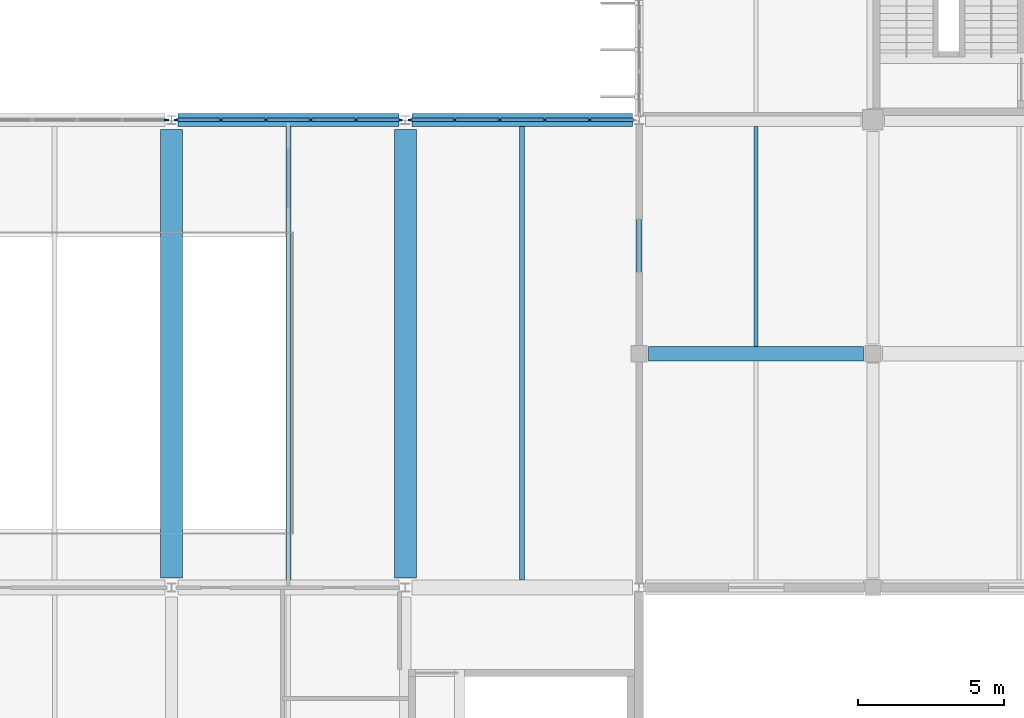
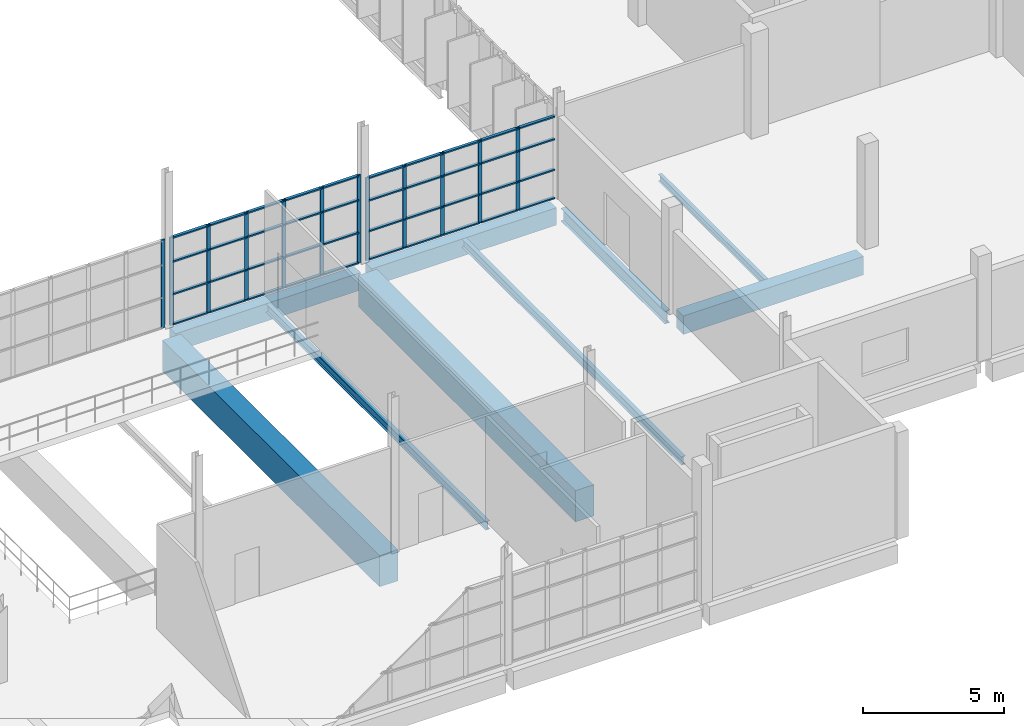
# One storey, part 40 of 93: 52 members, 9 beams, 3 elements without a shape of their own.
"""IFC4 building model written with IfcOpenShell, lengths in metres."""

from ifc_helpers import new_model, si_unit, direction, frame, origin, origin_2d, place, context, subcontext, project, spatial, rectangle, i_section, extrude, material, layer, layer_set, material_profile, profile_set, type_object, element, aggregate, save


model = new_model("IFC4")

# Units and contexts
model_context = context("Model", 3, precision=1e-05, world=origin(), true_north=direction((0.0, 1.0)))
body_context = subcontext(model_context, "Body", "Model", "MODEL_VIEW")
ifc_project = project(units=[si_unit("LENGTHUNIT", "METRE"), si_unit("AREAUNIT", "SQUARE_METRE"), si_unit("VOLUMEUNIT", "CUBIC_METRE"), si_unit("PLANEANGLEUNIT", "RADIAN"), si_unit("MASSUNIT", "GRAM", prefix="KILO")], contexts=[model_context])

# Site, building, storey
site_placement = place(None, origin())
site = spatial("IfcSite", under=ifc_project, at=site_placement, CompositionType="ELEMENT")
building_placement = place(site_placement, origin())
building = spatial("IfcBuilding", under=site, at=building_placement, Name="Drelvana Railside Aquatics Centre", CompositionType="ELEMENT")
storey_placement = place(building_placement, frame((0.0, 0.0, 5.39990234375)))
storey = spatial("IfcBuildingStorey", under=building, at=storey_placement, Name="L01", CompositionType="ELEMENT", Elevation=5.39990234375)

# Curtain wall, member
ifc_material_1 = material(Name="Bronze-anodised aluminium curtain wall", Category="aluminium")
ifc_layer = layer(ifc_material_1, 0.1650390625, Name="Bronze-anodised aluminium curtain wall")
ifc_layer_set = layer_set([ifc_layer], Name="Bronze-anodised aluminium curtain wall")
curtain_wall_type = type_object("IfcCurtainWallType", Name="CW-Z5-COURT", PredefinedType="NOTDEFINED", material=ifc_layer_set)
curtain_wall_1_placement = place(storey_placement, origin())
curtain_wall_1 = element("IfcCurtainWall", 1, at=curtain_wall_1_placement, inside=storey, type_object=curtain_wall_type, Name="Curtain wall CW-05-109", PredefinedType="NOTDEFINED")
ifc_material_2 = material(Name="Bronze-anodised aluminium 6063-T6", Category="aluminium")
ifc_material_profile_1 = material_profile(ifc_material_2, rectangle(XDim=0.06005859375, YDim=0.14990234375, at=origin_2d()), Name="ALU-M 60x150")
ifc_profile_set_1 = profile_set([ifc_material_profile_1], Name="Bronze-anodised aluminium 6063-T6")
member_type_1 = type_object("IfcMemberType", Name="CW-Z5-COURT-MUL", PredefinedType="MULLION", material=ifc_profile_set_1)
member_1_placement = place(storey_placement, frame((127.825927734375, 24.0, -0.005859375), z_axis=(0.0, 0.0, 1.0), x_axis=(0.0, 1.0, 0.0)))
member_1 = element("IfcMember", 2, at=member_1_placement, type_object=member_type_1, Name="CW-05 mullion 6", PredefinedType="MULLION", context=body_context, shape_type="SweptSolid", body=[
    extrude(rectangle(XDim=0.06005859375, YDim=0.14990234375, at=origin_2d()), origin(), (0.0, 0.0, 1.0), 3.805908203125),
])
aggregate(curtain_wall_1, [member_1])

# Curtain wall, members
curtain_wall_2_placement = place(storey_placement, origin())
curtain_wall_2 = element("IfcCurtainWall", 3, at=curtain_wall_2_placement, inside=storey, type_object=curtain_wall_type, Name="Curtain wall CW-05-112", PredefinedType="NOTDEFINED")
member_2_placement = place(storey_placement, frame((128.174072265625, 24.0, -0.005859375), z_axis=(0.0, 0.0, 1.0), x_axis=(0.0, 1.0, 0.0)))
member_2 = element("IfcMember", 4, at=member_2_placement, type_object=member_type_1, Name="CW-05 mullion 1", PredefinedType="MULLION", context=body_context, shape_type="SweptSolid", body=[
    extrude(rectangle(XDim=0.06005859375, YDim=0.14990234375, at=origin_2d()), origin(), (0.0, 0.0, 1.0), 3.805908203125),
])
member_3_placement = place(storey_placement, frame((129.686279296875, 24.0, -0.005859375), z_axis=(0.0, 0.0, 1.0), x_axis=(0.0, 1.0, 0.0)))
member_3 = element("IfcMember", 5, at=member_3_placement, type_object=member_type_1, Name="CW-05 mullion 2", PredefinedType="MULLION", context=body_context, shape_type="SweptSolid", body=[
    extrude(rectangle(XDim=0.06005859375, YDim=0.14990234375, at=origin_2d()), origin(), (0.0, 0.0, 1.0), 3.805908203125),
])
member_4_placement = place(storey_placement, frame((131.228759765625, 24.0, -0.005859375), z_axis=(0.0, 0.0, 1.0), x_axis=(0.0, 1.0, 0.0)))
member_4 = element("IfcMember", 6, at=member_4_placement, type_object=member_type_1, Name="CW-05 mullion 3", PredefinedType="MULLION", context=body_context, shape_type="SweptSolid", body=[
    extrude(rectangle(XDim=0.06005859375, YDim=0.14990234375, at=origin_2d()), origin(), (0.0, 0.0, 1.0), 3.805908203125),
])
member_5_placement = place(storey_placement, frame((132.771240234375, 24.0, -0.005859375), z_axis=(0.0, 0.0, 1.0), x_axis=(0.0, 1.0, 0.0)))
member_5 = element("IfcMember", 7, at=member_5_placement, type_object=member_type_1, Name="CW-05 mullion 4", PredefinedType="MULLION", context=body_context, shape_type="SweptSolid", body=[
    extrude(rectangle(XDim=0.06005859375, YDim=0.14990234375, at=origin_2d()), origin(), (0.0, 0.0, 1.0), 3.805908203125),
])
member_6_placement = place(storey_placement, frame((134.313720703125, 24.0, -0.005859375), z_axis=(0.0, 0.0, 1.0), x_axis=(0.0, 1.0, 0.0)))
member_6 = element("IfcMember", 8, at=member_6_placement, type_object=member_type_1, Name="CW-05 mullion 5", PredefinedType="MULLION", context=body_context, shape_type="SweptSolid", body=[
    extrude(rectangle(XDim=0.06005859375, YDim=0.14990234375, at=origin_2d()), origin(), (0.0, 0.0, 1.0), 3.805908203125),
])
member_7_placement = place(storey_placement, frame((135.825927734375, 24.0, -0.005859375), z_axis=(0.0, 0.0, 1.0), x_axis=(0.0, 1.0, 0.0)))
member_7 = element("IfcMember", 9, at=member_7_placement, type_object=member_type_1, Name="CW-05 mullion 6", PredefinedType="MULLION", context=body_context, shape_type="SweptSolid", body=[
    extrude(rectangle(XDim=0.06005859375, YDim=0.14990234375, at=origin_2d()), origin(), (0.0, 0.0, 1.0), 3.805908203125),
])

curtain_wall_3_placement = place(storey_placement, origin())
curtain_wall_3 = element("IfcCurtainWall", 10, at=curtain_wall_3_placement, inside=storey, type_object=curtain_wall_type, Name="Curtain wall CW-05-114", PredefinedType="NOTDEFINED")
member_8_placement = place(storey_placement, frame((136.174072265625, 24.0, -0.005859375), z_axis=(0.0, 0.0, 1.0), x_axis=(0.0, 1.0, 0.0)))
member_8 = element("IfcMember", 11, at=member_8_placement, type_object=member_type_1, Name="CW-05 mullion 1", PredefinedType="MULLION", context=body_context, shape_type="SweptSolid", body=[
    extrude(rectangle(XDim=0.06005859375, YDim=0.14990234375, at=origin_2d()), origin(), (0.0, 0.0, 1.0), 3.575927734375),
])
member_9_placement = place(storey_placement, frame((137.686279296875, 24.0, -0.005859375), z_axis=(0.0, 0.0, 1.0), x_axis=(0.0, 1.0, 0.0)))
member_9 = element("IfcMember", 12, at=member_9_placement, type_object=member_type_1, Name="CW-05 mullion 2", PredefinedType="MULLION", context=body_context, shape_type="SweptSolid", body=[
    extrude(rectangle(XDim=0.06005859375, YDim=0.14990234375, at=origin_2d()), origin(), (0.0, 0.0, 1.0), 3.575927734375),
])
member_10_placement = place(storey_placement, frame((139.228759765625, 24.0, -0.005859375), z_axis=(0.0, 0.0, 1.0), x_axis=(0.0, 1.0, 0.0)))
member_10 = element("IfcMember", 13, at=member_10_placement, type_object=member_type_1, Name="CW-05 mullion 3", PredefinedType="MULLION", context=body_context, shape_type="SweptSolid", body=[
    extrude(rectangle(XDim=0.06005859375, YDim=0.14990234375, at=origin_2d()), origin(), (0.0, 0.0, 1.0), 3.575927734375),
])
member_11_placement = place(storey_placement, frame((140.771240234375, 24.0, -0.005859375), z_axis=(0.0, 0.0, 1.0), x_axis=(0.0, 1.0, 0.0)))
member_11 = element("IfcMember", 14, at=member_11_placement, type_object=member_type_1, Name="CW-05 mullion 4", PredefinedType="MULLION", context=body_context, shape_type="SweptSolid", body=[
    extrude(rectangle(XDim=0.06005859375, YDim=0.14990234375, at=origin_2d()), origin(), (0.0, 0.0, 1.0), 3.575927734375),
])
member_12_placement = place(storey_placement, frame((142.313720703125, 24.0, -0.005859375), z_axis=(0.0, 0.0, 1.0), x_axis=(0.0, 1.0, 0.0)))
member_12 = element("IfcMember", 15, at=member_12_placement, type_object=member_type_1, Name="CW-05 mullion 5", PredefinedType="MULLION", context=body_context, shape_type="SweptSolid", body=[
    extrude(rectangle(XDim=0.06005859375, YDim=0.14990234375, at=origin_2d()), origin(), (0.0, 0.0, 1.0), 3.575927734375),
])

# Member
ifc_material_profile_2 = material_profile(ifc_material_2, rectangle(XDim=0.1201171875, YDim=0.06005859375, at=origin_2d()), Name="ALU-T 60x120")
ifc_profile_set_2 = profile_set([ifc_material_profile_2], Name="Bronze-anodised aluminium 6063-T6")
member_type_2 = type_object("IfcMemberType", Name="CW-Z5-COURT-TRN", PredefinedType="USERDEFINED", material=ifc_profile_set_2)
member_13_placement = place(storey_placement, frame((128.198974609375, 24.0, 0.024169921875), z_axis=(1.0, 0.0, 0.0), x_axis=(0.0, 1.0, 0.0)))
member_13 = element("IfcMember", 16, at=member_13_placement, type_object=member_type_2, Name="CW-05 transom 1.1", ObjectType="TRANSOM", PredefinedType="USERDEFINED", context=body_context, shape_type="SweptSolid", body=[
    extrude(rectangle(XDim=0.1201171875, YDim=0.06005859375, at=origin_2d()), origin(), (0.0, 0.0, 1.0), 1.46240234375),
])

member_14_placement = place(storey_placement, frame((128.198974609375, 24.0, 1.326171875), z_axis=(1.0, 0.0, 0.0), x_axis=(0.0, 1.0, 0.0)))
member_14 = element("IfcMember", 17, at=member_14_placement, type_object=member_type_2, Name="CW-05 transom 1.2", ObjectType="TRANSOM", PredefinedType="USERDEFINED", context=body_context, shape_type="SweptSolid", body=[
    extrude(rectangle(XDim=0.1201171875, YDim=0.06005859375, at=origin_2d()), origin(), (0.0, 0.0, 1.0), 1.46240234375),
])

member_15_placement = place(storey_placement, frame((128.198974609375, 24.0, 2.734130859375), z_axis=(1.0, 0.0, 0.0), x_axis=(0.0, 1.0, 0.0)))
member_15 = element("IfcMember", 18, at=member_15_placement, type_object=member_type_2, Name="CW-05 transom 1.3", ObjectType="TRANSOM", PredefinedType="USERDEFINED", context=body_context, shape_type="SweptSolid", body=[
    extrude(rectangle(XDim=0.1201171875, YDim=0.06005859375, at=origin_2d()), origin(), (0.0, 0.0, 1.0), 1.46240234375),
])

member_16_placement = place(storey_placement, frame((128.198974609375, 24.0, 3.77001953125), z_axis=(1.0, 0.0, 0.0), x_axis=(0.0, 1.0, 0.0)))
member_16 = element("IfcMember", 19, at=member_16_placement, type_object=member_type_2, Name="CW-05 transom 1.4", ObjectType="TRANSOM", PredefinedType="USERDEFINED", context=body_context, shape_type="SweptSolid", body=[
    extrude(rectangle(XDim=0.1201171875, YDim=0.06005859375, at=origin_2d()), origin(), (0.0, 0.0, 1.0), 1.46240234375),
])

member_17_placement = place(storey_placement, frame((129.71142578125, 24.0, 0.024169921875), z_axis=(1.0, 0.0, 0.0), x_axis=(0.0, 1.0, 0.0)))
member_17 = element("IfcMember", 20, at=member_17_placement, type_object=member_type_2, Name="CW-05 transom 2.1", ObjectType="TRANSOM", PredefinedType="USERDEFINED", context=body_context, shape_type="SweptSolid", body=[
    extrude(rectangle(XDim=0.1201171875, YDim=0.06005859375, at=origin_2d()), origin(), (0.0, 0.0, 1.0), 1.492431640625),
])

member_18_placement = place(storey_placement, frame((129.71142578125, 24.0, 1.326171875), z_axis=(1.0, 0.0, 0.0), x_axis=(0.0, 1.0, 0.0)))
member_18 = element("IfcMember", 21, at=member_18_placement, type_object=member_type_2, Name="CW-05 transom 2.2", ObjectType="TRANSOM", PredefinedType="USERDEFINED", context=body_context, shape_type="SweptSolid", body=[
    extrude(rectangle(XDim=0.1201171875, YDim=0.06005859375, at=origin_2d()), origin(), (0.0, 0.0, 1.0), 1.492431640625),
])

member_19_placement = place(storey_placement, frame((129.71142578125, 24.0, 2.734130859375), z_axis=(1.0, 0.0, 0.0), x_axis=(0.0, 1.0, 0.0)))
member_19 = element("IfcMember", 22, at=member_19_placement, type_object=member_type_2, Name="CW-05 transom 2.3", ObjectType="TRANSOM", PredefinedType="USERDEFINED", context=body_context, shape_type="SweptSolid", body=[
    extrude(rectangle(XDim=0.1201171875, YDim=0.06005859375, at=origin_2d()), origin(), (0.0, 0.0, 1.0), 1.492431640625),
])

member_20_placement = place(storey_placement, frame((129.71142578125, 24.0, 3.77001953125), z_axis=(1.0, 0.0, 0.0), x_axis=(0.0, 1.0, 0.0)))
member_20 = element("IfcMember", 23, at=member_20_placement, type_object=member_type_2, Name="CW-05 transom 2.4", ObjectType="TRANSOM", PredefinedType="USERDEFINED", context=body_context, shape_type="SweptSolid", body=[
    extrude(rectangle(XDim=0.1201171875, YDim=0.06005859375, at=origin_2d()), origin(), (0.0, 0.0, 1.0), 1.492431640625),
])

member_21_placement = place(storey_placement, frame((131.25390625, 24.0, 0.024169921875), z_axis=(1.0, 0.0, 0.0), x_axis=(0.0, 1.0, 0.0)))
member_21 = element("IfcMember", 24, at=member_21_placement, type_object=member_type_2, Name="CW-05 transom 3.1", ObjectType="TRANSOM", PredefinedType="USERDEFINED", context=body_context, shape_type="SweptSolid", body=[
    extrude(rectangle(XDim=0.1201171875, YDim=0.06005859375, at=origin_2d()), origin(), (0.0, 0.0, 1.0), 1.4921875),
])

member_22_placement = place(storey_placement, frame((131.25390625, 24.0, 1.326171875), z_axis=(1.0, 0.0, 0.0), x_axis=(0.0, 1.0, 0.0)))
member_22 = element("IfcMember", 25, at=member_22_placement, type_object=member_type_2, Name="CW-05 transom 3.2", ObjectType="TRANSOM", PredefinedType="USERDEFINED", context=body_context, shape_type="SweptSolid", body=[
    extrude(rectangle(XDim=0.1201171875, YDim=0.06005859375, at=origin_2d()), origin(), (0.0, 0.0, 1.0), 1.4921875),
])

member_23_placement = place(storey_placement, frame((131.25390625, 24.0, 2.734130859375), z_axis=(1.0, 0.0, 0.0), x_axis=(0.0, 1.0, 0.0)))
member_23 = element("IfcMember", 26, at=member_23_placement, type_object=member_type_2, Name="CW-05 transom 3.3", ObjectType="TRANSOM", PredefinedType="USERDEFINED", context=body_context, shape_type="SweptSolid", body=[
    extrude(rectangle(XDim=0.1201171875, YDim=0.06005859375, at=origin_2d()), origin(), (0.0, 0.0, 1.0), 1.4921875),
])

member_24_placement = place(storey_placement, frame((131.25390625, 24.0, 3.77001953125), z_axis=(1.0, 0.0, 0.0), x_axis=(0.0, 1.0, 0.0)))
member_24 = element("IfcMember", 27, at=member_24_placement, type_object=member_type_2, Name="CW-05 transom 3.4", ObjectType="TRANSOM", PredefinedType="USERDEFINED", context=body_context, shape_type="SweptSolid", body=[
    extrude(rectangle(XDim=0.1201171875, YDim=0.06005859375, at=origin_2d()), origin(), (0.0, 0.0, 1.0), 1.4921875),
])

member_25_placement = place(storey_placement, frame((132.796142578125, 24.0, 0.024169921875), z_axis=(1.0, 0.0, 0.0), x_axis=(0.0, 1.0, 0.0)))
member_25 = element("IfcMember", 28, at=member_25_placement, type_object=member_type_2, Name="CW-05 transom 4.1", ObjectType="TRANSOM", PredefinedType="USERDEFINED", context=body_context, shape_type="SweptSolid", body=[
    extrude(rectangle(XDim=0.1201171875, YDim=0.06005859375, at=origin_2d()), origin(), (0.0, 0.0, 1.0), 1.492431640625),
])

member_26_placement = place(storey_placement, frame((132.796142578125, 24.0, 1.326171875), z_axis=(1.0, 0.0, 0.0), x_axis=(0.0, 1.0, 0.0)))
member_26 = element("IfcMember", 29, at=member_26_placement, type_object=member_type_2, Name="CW-05 transom 4.2", ObjectType="TRANSOM", PredefinedType="USERDEFINED", context=body_context, shape_type="SweptSolid", body=[
    extrude(rectangle(XDim=0.1201171875, YDim=0.06005859375, at=origin_2d()), origin(), (0.0, 0.0, 1.0), 1.492431640625),
])

member_27_placement = place(storey_placement, frame((132.796142578125, 24.0, 2.734130859375), z_axis=(1.0, 0.0, 0.0), x_axis=(0.0, 1.0, 0.0)))
member_27 = element("IfcMember", 30, at=member_27_placement, type_object=member_type_2, Name="CW-05 transom 4.3", ObjectType="TRANSOM", PredefinedType="USERDEFINED", context=body_context, shape_type="SweptSolid", body=[
    extrude(rectangle(XDim=0.1201171875, YDim=0.06005859375, at=origin_2d()), origin(), (0.0, 0.0, 1.0), 1.492431640625),
])

member_28_placement = place(storey_placement, frame((132.796142578125, 24.0, 3.77001953125), z_axis=(1.0, 0.0, 0.0), x_axis=(0.0, 1.0, 0.0)))
member_28 = element("IfcMember", 31, at=member_28_placement, type_object=member_type_2, Name="CW-05 transom 4.4", ObjectType="TRANSOM", PredefinedType="USERDEFINED", context=body_context, shape_type="SweptSolid", body=[
    extrude(rectangle(XDim=0.1201171875, YDim=0.06005859375, at=origin_2d()), origin(), (0.0, 0.0, 1.0), 1.492431640625),
])

member_29_placement = place(storey_placement, frame((134.338623046875, 24.0, 0.024169921875), z_axis=(1.0, 0.0, 0.0), x_axis=(0.0, 1.0, 0.0)))
member_29 = element("IfcMember", 32, at=member_29_placement, type_object=member_type_2, Name="CW-05 transom 5.1", ObjectType="TRANSOM", PredefinedType="USERDEFINED", context=body_context, shape_type="SweptSolid", body=[
    extrude(rectangle(XDim=0.1201171875, YDim=0.06005859375, at=origin_2d()), origin(), (0.0, 0.0, 1.0), 1.46240234375),
])

member_30_placement = place(storey_placement, frame((134.338623046875, 24.0, 1.326171875), z_axis=(1.0, 0.0, 0.0), x_axis=(0.0, 1.0, 0.0)))
member_30 = element("IfcMember", 33, at=member_30_placement, type_object=member_type_2, Name="CW-05 transom 5.2", ObjectType="TRANSOM", PredefinedType="USERDEFINED", context=body_context, shape_type="SweptSolid", body=[
    extrude(rectangle(XDim=0.1201171875, YDim=0.06005859375, at=origin_2d()), origin(), (0.0, 0.0, 1.0), 1.46240234375),
])

member_31_placement = place(storey_placement, frame((134.338623046875, 24.0, 2.734130859375), z_axis=(1.0, 0.0, 0.0), x_axis=(0.0, 1.0, 0.0)))
member_31 = element("IfcMember", 34, at=member_31_placement, type_object=member_type_2, Name="CW-05 transom 5.3", ObjectType="TRANSOM", PredefinedType="USERDEFINED", context=body_context, shape_type="SweptSolid", body=[
    extrude(rectangle(XDim=0.1201171875, YDim=0.06005859375, at=origin_2d()), origin(), (0.0, 0.0, 1.0), 1.46240234375),
])

member_32_placement = place(storey_placement, frame((134.338623046875, 24.0, 3.77001953125), z_axis=(1.0, 0.0, 0.0), x_axis=(0.0, 1.0, 0.0)))
member_32 = element("IfcMember", 35, at=member_32_placement, type_object=member_type_2, Name="CW-05 transom 5.4", ObjectType="TRANSOM", PredefinedType="USERDEFINED", context=body_context, shape_type="SweptSolid", body=[
    extrude(rectangle(XDim=0.1201171875, YDim=0.06005859375, at=origin_2d()), origin(), (0.0, 0.0, 1.0), 1.46240234375),
])

aggregate(curtain_wall_2, [member_2, member_3, member_4, member_5, member_6, member_7, member_13, member_14, member_15, member_16, member_17, member_18, member_19, member_20, member_21, member_22, member_23, member_24, member_25, member_26, member_27, member_28, member_29, member_30, member_31, member_32])

member_33_placement = place(storey_placement, frame((136.198974609375, 24.0, 0.024169921875), z_axis=(1.0, 0.0, 0.0), x_axis=(0.0, 1.0, 0.0)))
member_33 = element("IfcMember", 36, at=member_33_placement, type_object=member_type_2, Name="CW-05 transom 1.1", ObjectType="TRANSOM", PredefinedType="USERDEFINED", context=body_context, shape_type="SweptSolid", body=[
    extrude(rectangle(XDim=0.1201171875, YDim=0.06005859375, at=origin_2d()), origin(), (0.0, 0.0, 1.0), 1.46240234375),
])

member_34_placement = place(storey_placement, frame((136.198974609375, 24.0, 1.24609375), z_axis=(1.0, 0.0, 0.0), x_axis=(0.0, 1.0, 0.0)))
member_34 = element("IfcMember", 37, at=member_34_placement, type_object=member_type_2, Name="CW-05 transom 1.2", ObjectType="TRANSOM", PredefinedType="USERDEFINED", context=body_context, shape_type="SweptSolid", body=[
    extrude(rectangle(XDim=0.1201171875, YDim=0.06005859375, at=origin_2d()), origin(), (0.0, 0.0, 1.0), 1.46240234375),
])

member_35_placement = place(storey_placement, frame((136.198974609375, 24.0, 2.569091796875), z_axis=(1.0, 0.0, 0.0), x_axis=(0.0, 1.0, 0.0)))
member_35 = element("IfcMember", 38, at=member_35_placement, type_object=member_type_2, Name="CW-05 transom 1.3", ObjectType="TRANSOM", PredefinedType="USERDEFINED", context=body_context, shape_type="SweptSolid", body=[
    extrude(rectangle(XDim=0.1201171875, YDim=0.06005859375, at=origin_2d()), origin(), (0.0, 0.0, 1.0), 1.46240234375),
])

member_36_placement = place(storey_placement, frame((136.198974609375, 24.0, 3.5400390625), z_axis=(1.0, 0.0, 0.0), x_axis=(0.0, 1.0, 0.0)))
member_36 = element("IfcMember", 39, at=member_36_placement, type_object=member_type_2, Name="CW-05 transom 1.4", ObjectType="TRANSOM", PredefinedType="USERDEFINED", context=body_context, shape_type="SweptSolid", body=[
    extrude(rectangle(XDim=0.1201171875, YDim=0.06005859375, at=origin_2d()), origin(), (0.0, 0.0, 1.0), 1.46240234375),
])

member_37_placement = place(storey_placement, frame((137.71142578125, 24.0, 0.024169921875), z_axis=(1.0, 0.0, 0.0), x_axis=(0.0, 1.0, 0.0)))
member_37 = element("IfcMember", 40, at=member_37_placement, type_object=member_type_2, Name="CW-05 transom 2.1", ObjectType="TRANSOM", PredefinedType="USERDEFINED", context=body_context, shape_type="SweptSolid", body=[
    extrude(rectangle(XDim=0.1201171875, YDim=0.06005859375, at=origin_2d()), origin(), (0.0, 0.0, 1.0), 1.492431640625),
])

member_38_placement = place(storey_placement, frame((137.71142578125, 24.0, 1.24609375), z_axis=(1.0, 0.0, 0.0), x_axis=(0.0, 1.0, 0.0)))
member_38 = element("IfcMember", 41, at=member_38_placement, type_object=member_type_2, Name="CW-05 transom 2.2", ObjectType="TRANSOM", PredefinedType="USERDEFINED", context=body_context, shape_type="SweptSolid", body=[
    extrude(rectangle(XDim=0.1201171875, YDim=0.06005859375, at=origin_2d()), origin(), (0.0, 0.0, 1.0), 1.492431640625),
])

member_39_placement = place(storey_placement, frame((137.71142578125, 24.0, 2.569091796875), z_axis=(1.0, 0.0, 0.0), x_axis=(0.0, 1.0, 0.0)))
member_39 = element("IfcMember", 42, at=member_39_placement, type_object=member_type_2, Name="CW-05 transom 2.3", ObjectType="TRANSOM", PredefinedType="USERDEFINED", context=body_context, shape_type="SweptSolid", body=[
    extrude(rectangle(XDim=0.1201171875, YDim=0.06005859375, at=origin_2d()), origin(), (0.0, 0.0, 1.0), 1.492431640625),
])

member_40_placement = place(storey_placement, frame((137.71142578125, 24.0, 3.5400390625), z_axis=(1.0, 0.0, 0.0), x_axis=(0.0, 1.0, 0.0)))
member_40 = element("IfcMember", 43, at=member_40_placement, type_object=member_type_2, Name="CW-05 transom 2.4", ObjectType="TRANSOM", PredefinedType="USERDEFINED", context=body_context, shape_type="SweptSolid", body=[
    extrude(rectangle(XDim=0.1201171875, YDim=0.06005859375, at=origin_2d()), origin(), (0.0, 0.0, 1.0), 1.492431640625),
])

member_41_placement = place(storey_placement, frame((139.25390625, 24.0, 0.024169921875), z_axis=(1.0, 0.0, 0.0), x_axis=(0.0, 1.0, 0.0)))
member_41 = element("IfcMember", 44, at=member_41_placement, type_object=member_type_2, Name="CW-05 transom 3.1", ObjectType="TRANSOM", PredefinedType="USERDEFINED", context=body_context, shape_type="SweptSolid", body=[
    extrude(rectangle(XDim=0.1201171875, YDim=0.06005859375, at=origin_2d()), origin(), (0.0, 0.0, 1.0), 1.4921875),
])

member_42_placement = place(storey_placement, frame((139.25390625, 24.0, 1.24609375), z_axis=(1.0, 0.0, 0.0), x_axis=(0.0, 1.0, 0.0)))
member_42 = element("IfcMember", 45, at=member_42_placement, type_object=member_type_2, Name="CW-05 transom 3.2", ObjectType="TRANSOM", PredefinedType="USERDEFINED", context=body_context, shape_type="SweptSolid", body=[
    extrude(rectangle(XDim=0.1201171875, YDim=0.06005859375, at=origin_2d()), origin(), (0.0, 0.0, 1.0), 1.4921875),
])

member_43_placement = place(storey_placement, frame((139.25390625, 24.0, 2.569091796875), z_axis=(1.0, 0.0, 0.0), x_axis=(0.0, 1.0, 0.0)))
member_43 = element("IfcMember", 46, at=member_43_placement, type_object=member_type_2, Name="CW-05 transom 3.3", ObjectType="TRANSOM", PredefinedType="USERDEFINED", context=body_context, shape_type="SweptSolid", body=[
    extrude(rectangle(XDim=0.1201171875, YDim=0.06005859375, at=origin_2d()), origin(), (0.0, 0.0, 1.0), 1.4921875),
])

member_44_placement = place(storey_placement, frame((139.25390625, 24.0, 3.5400390625), z_axis=(1.0, 0.0, 0.0), x_axis=(0.0, 1.0, 0.0)))
member_44 = element("IfcMember", 47, at=member_44_placement, type_object=member_type_2, Name="CW-05 transom 3.4", ObjectType="TRANSOM", PredefinedType="USERDEFINED", context=body_context, shape_type="SweptSolid", body=[
    extrude(rectangle(XDim=0.1201171875, YDim=0.06005859375, at=origin_2d()), origin(), (0.0, 0.0, 1.0), 1.4921875),
])

member_45_placement = place(storey_placement, frame((140.796142578125, 24.0, 0.024169921875), z_axis=(1.0, 0.0, 0.0), x_axis=(0.0, 1.0, 0.0)))
member_45 = element("IfcMember", 48, at=member_45_placement, type_object=member_type_2, Name="CW-05 transom 4.1", ObjectType="TRANSOM", PredefinedType="USERDEFINED", context=body_context, shape_type="SweptSolid", body=[
    extrude(rectangle(XDim=0.1201171875, YDim=0.06005859375, at=origin_2d()), origin(), (0.0, 0.0, 1.0), 1.492431640625),
])

member_46_placement = place(storey_placement, frame((140.796142578125, 24.0, 1.24609375), z_axis=(1.0, 0.0, 0.0), x_axis=(0.0, 1.0, 0.0)))
member_46 = element("IfcMember", 49, at=member_46_placement, type_object=member_type_2, Name="CW-05 transom 4.2", ObjectType="TRANSOM", PredefinedType="USERDEFINED", context=body_context, shape_type="SweptSolid", body=[
    extrude(rectangle(XDim=0.1201171875, YDim=0.06005859375, at=origin_2d()), origin(), (0.0, 0.0, 1.0), 1.492431640625),
])

member_47_placement = place(storey_placement, frame((140.796142578125, 24.0, 2.569091796875), z_axis=(1.0, 0.0, 0.0), x_axis=(0.0, 1.0, 0.0)))
member_47 = element("IfcMember", 50, at=member_47_placement, type_object=member_type_2, Name="CW-05 transom 4.3", ObjectType="TRANSOM", PredefinedType="USERDEFINED", context=body_context, shape_type="SweptSolid", body=[
    extrude(rectangle(XDim=0.1201171875, YDim=0.06005859375, at=origin_2d()), origin(), (0.0, 0.0, 1.0), 1.492431640625),
])

member_48_placement = place(storey_placement, frame((140.796142578125, 24.0, 3.5400390625), z_axis=(1.0, 0.0, 0.0), x_axis=(0.0, 1.0, 0.0)))
member_48 = element("IfcMember", 51, at=member_48_placement, type_object=member_type_2, Name="CW-05 transom 4.4", ObjectType="TRANSOM", PredefinedType="USERDEFINED", context=body_context, shape_type="SweptSolid", body=[
    extrude(rectangle(XDim=0.1201171875, YDim=0.06005859375, at=origin_2d()), origin(), (0.0, 0.0, 1.0), 1.492431640625),
])

member_49_placement = place(storey_placement, frame((142.338623046875, 24.0, 0.024169921875), z_axis=(1.0, 0.0, 0.0), x_axis=(0.0, 1.0, 0.0)))
member_49 = element("IfcMember", 52, at=member_49_placement, type_object=member_type_2, Name="CW-05 transom 5.1", ObjectType="TRANSOM", PredefinedType="USERDEFINED", context=body_context, shape_type="SweptSolid", body=[
    extrude(rectangle(XDim=0.1201171875, YDim=0.06005859375, at=origin_2d()), origin(), (0.0, 0.0, 1.0), 1.46240234375),
])

member_50_placement = place(storey_placement, frame((142.338623046875, 24.0, 1.24609375), z_axis=(1.0, 0.0, 0.0), x_axis=(0.0, 1.0, 0.0)))
member_50 = element("IfcMember", 53, at=member_50_placement, type_object=member_type_2, Name="CW-05 transom 5.2", ObjectType="TRANSOM", PredefinedType="USERDEFINED", context=body_context, shape_type="SweptSolid", body=[
    extrude(rectangle(XDim=0.1201171875, YDim=0.06005859375, at=origin_2d()), origin(), (0.0, 0.0, 1.0), 1.46240234375),
])

member_51_placement = place(storey_placement, frame((142.338623046875, 24.0, 2.569091796875), z_axis=(1.0, 0.0, 0.0), x_axis=(0.0, 1.0, 0.0)))
member_51 = element("IfcMember", 54, at=member_51_placement, type_object=member_type_2, Name="CW-05 transom 5.3", ObjectType="TRANSOM", PredefinedType="USERDEFINED", context=body_context, shape_type="SweptSolid", body=[
    extrude(rectangle(XDim=0.1201171875, YDim=0.06005859375, at=origin_2d()), origin(), (0.0, 0.0, 1.0), 1.46240234375),
])

member_52_placement = place(storey_placement, frame((142.338623046875, 24.0, 3.5400390625), z_axis=(1.0, 0.0, 0.0), x_axis=(0.0, 1.0, 0.0)))
member_52 = element("IfcMember", 55, at=member_52_placement, type_object=member_type_2, Name="CW-05 transom 5.4", ObjectType="TRANSOM", PredefinedType="USERDEFINED", context=body_context, shape_type="SweptSolid", body=[
    extrude(rectangle(XDim=0.1201171875, YDim=0.06005859375, at=origin_2d()), origin(), (0.0, 0.0, 1.0), 1.46240234375),
])

aggregate(curtain_wall_3, [member_8, member_9, member_10, member_11, member_12, member_33, member_34, member_35, member_36, member_37, member_38, member_39, member_40, member_41, member_42, member_43, member_44, member_45, member_46, member_47, member_48, member_49, member_50, member_51, member_52])

# Beams
ifc_material_3 = material(Name="Concrete C40/50", Category="concrete")
ifc_material_profile_3 = material_profile(ifc_material_3, rectangle(XDim=0.449951171875, YDim=0.75, at=origin_2d()), Name="RC 450x750")
ifc_profile_set_3 = profile_set([ifc_material_profile_3], Name="Concrete C40/50")
beam_type_1 = type_object("IfcBeamType", Name="STR-BM-BM-04-RC-450x750", PredefinedType="BEAM", material=ifc_profile_set_3)
for number, where, z_axis, x_axis, name in (
    (56, (128.22509765625, 24.0, -0.64990234375), (1.0, 0.0, 0.0), (0.0, 1.0, 0.0), "Girder BM-04 (L01)"),
    (57, (136.22509765625, 24.0, -0.64990234375), (1.0, 0.0, 0.0), (0.0, 1.0, 0.0), "Girder BM-04 (L01)"),
):
    element("IfcBeam", number, at=place(storey_placement, frame(where, z_axis=z_axis, x_axis=x_axis)), inside=storey, type_object=beam_type_1, Name=name, PredefinedType="BEAM", context=body_context, shape_type="SweptSolid", body=[
        extrude(rectangle(XDim=0.449951171875, YDim=0.75, at=origin_2d()), origin(), (0.0, 0.0, 1.0), 7.5498046875),
    ])
ifc_material_profile_4 = material_profile(ifc_material_3, rectangle(XDim=0.5, YDim=0.800048828125, at=origin_2d()), Name="RC 500x800")
ifc_profile_set_4 = profile_set([ifc_material_profile_4], Name="Concrete C40/50")
beam_type_2 = type_object("IfcBeamType", Name="STR-BM-BM-06-RC-500x800", PredefinedType="SPANDREL", material=ifc_profile_set_4)
beam_1_placement = place(storey_placement, frame((144.324951171875, 16.0, -0.6748046875), z_axis=(1.0, 0.0, 0.0), x_axis=(0.0, 1.0, 0.0)))
element("IfcBeam", 58, at=beam_1_placement, inside=storey, type_object=beam_type_2, Name="Girder BM-06 (L01)", PredefinedType="SPANDREL", context=body_context, shape_type="SweptSolid", body=[
    extrude(rectangle(XDim=0.5, YDim=0.800048828125, at=origin_2d()), origin(), (0.0, 0.0, 1.0), 7.35009765625),
])
ifc_material_profile_5 = material_profile(ifc_material_3, rectangle(XDim=0.75, YDim=1.35009765625, at=origin_2d()), Name="RC 750x1350")
ifc_profile_set_5 = profile_set([ifc_material_profile_5], Name="Concrete C40/50")
beam_type_3 = type_object("IfcBeamType", Name="STR-BM-TG-02-RC-750x1350", PredefinedType="BEAM", material=ifc_profile_set_5)
for number, where, z_axis, x_axis, name in (
    (59, (128.0, 8.324951171875, -0.949951171875), (0.0, 1.0, 0.0), (-1.0, 0.0, 0.0), "Girder TG-02 (L01)"),
    (60, (136.0, 8.324951171875, -0.949951171875), (0.0, 1.0, 0.0), (-1.0, 0.0, 0.0), "Girder TG-02 (L01)"),
):
    element("IfcBeam", number, at=place(storey_placement, frame(where, z_axis=z_axis, x_axis=x_axis)), inside=storey, type_object=beam_type_3, Name=name, PredefinedType="BEAM", context=body_context, shape_type="SweptSolid", body=[
        extrude(rectangle(XDim=0.75, YDim=1.35009765625, at=origin_2d()), origin(), (0.0, 0.0, 1.0), 15.35009765625),
    ])
ifc_material_4 = material(Name="Structural steel S355", Category="steel")
ifc_material_profile_6 = material_profile(ifc_material_4, i_section(OverallWidth=0.2099609375, OverallDepth=0.550048828125, WebThickness=0.010986328125, FlangeThickness=0.01708984375, at=origin_2d()), Name="IPE 550")
ifc_profile_set_6 = profile_set([ifc_material_profile_6], Name="Structural steel S355")
beam_type_4 = type_object("IfcBeamType", Name="STR-SBM-SB-04-IPE-550", PredefinedType="SPANDREL", material=ifc_profile_set_6)
beam_2_placement = place(storey_placement, frame((144.0, 16.324951171875, -0.5498046875), z_axis=(0.0, 1.0, 0.0), x_axis=(-1.0, 0.0, 0.0)))
element("IfcBeam", 61, at=beam_2_placement, inside=storey, type_object=beam_type_4, Name="Girder SB-04 (L01)", PredefinedType="SPANDREL", context=body_context, shape_type="SweptSolid", body=[
    extrude(i_section(OverallWidth=0.2099609375, OverallDepth=0.550048828125, WebThickness=0.010986328125, FlangeThickness=0.01708984375, at=origin_2d()), origin(), (0.0, 0.0, 1.0), 7.35009765625),
])
ifc_material_profile_7 = material_profile(ifc_material_4, i_section(OverallWidth=0.14990234375, OverallDepth=0.300048828125, WebThickness=0.007080078125, FlangeThickness=0.0107421875, at=origin_2d()), Name="IPE 300")
ifc_profile_set_7 = profile_set([ifc_material_profile_7], Name="Structural steel S355")
beam_type_5 = type_object("IfcBeamType", Name="STR-SBM-SJ-03-IPE-300", PredefinedType="JOIST", material=ifc_profile_set_7)
beam_3_placement = place(storey_placement, frame((148.0, 16.25, -0.4248046875), z_axis=(0.0, 1.0, 0.0), x_axis=(-1.0, 0.0, 0.0)))
element("IfcBeam", 62, at=beam_3_placement, inside=storey, type_object=beam_type_5, Name="Secondary floor joist SJ-03 (L01)", PredefinedType="JOIST", context=body_context, shape_type="SweptSolid", body=[
    extrude(i_section(OverallWidth=0.14990234375, OverallDepth=0.300048828125, WebThickness=0.007080078125, FlangeThickness=0.0107421875, at=origin_2d()), origin(), (0.0, 0.0, 1.0), 7.52490234375),
])
ifc_material_profile_8 = material_profile(ifc_material_4, i_section(OverallWidth=0.169921875, OverallDepth=0.360107421875, WebThickness=0.008056640625, FlangeThickness=0.0126953125, at=origin_2d()), Name="IPE 360")
ifc_profile_set_8 = profile_set([ifc_material_profile_8], Name="Structural steel S355")
beam_type_6 = type_object("IfcBeamType", Name="STR-SBM-SJ-05-IPE-360", PredefinedType="JOIST", material=ifc_profile_set_8)
for number, where, z_axis, x_axis, name in (
    (63, (132.0, 8.25, -0.454833984375), (0.0, 1.0, 0.0), (-1.0, 0.0, 0.0), "Secondary floor joist SJ-05 (L01)"),
    (64, (140.0, 8.25, -0.454833984375), (0.0, 1.0, 0.0), (-1.0, 0.0, 0.0), "Secondary floor joist SJ-05 (L01)"),
):
    element("IfcBeam", number, at=place(storey_placement, frame(where, z_axis=z_axis, x_axis=x_axis)), inside=storey, type_object=beam_type_6, Name=name, PredefinedType="JOIST", context=body_context, shape_type="SweptSolid", body=[
        extrude(i_section(OverallWidth=0.169921875, OverallDepth=0.360107421875, WebThickness=0.008056640625, FlangeThickness=0.0126953125, at=origin_2d()), origin(), (0.0, 0.0, 1.0), 15.52490234375),
    ])

save(model, "model.ifc")
